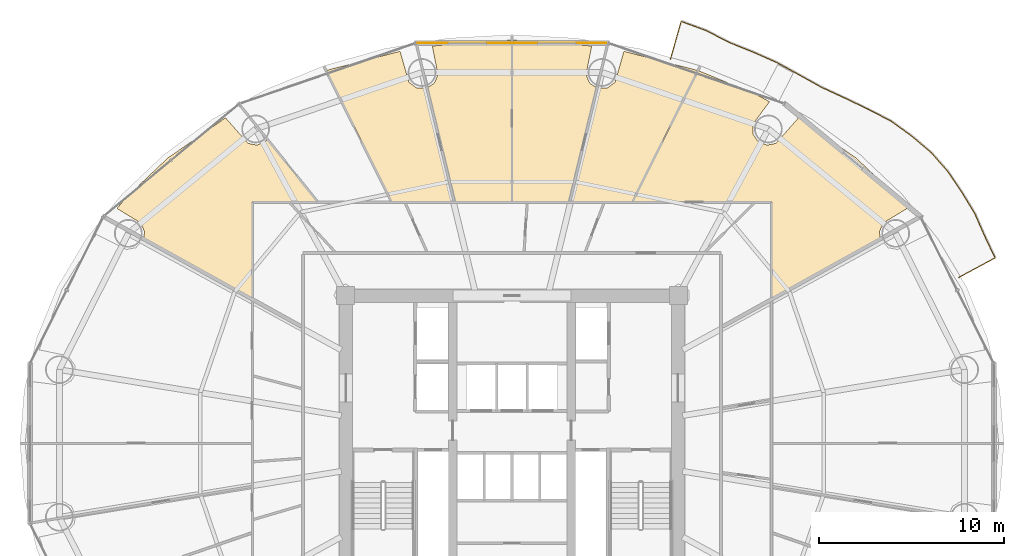
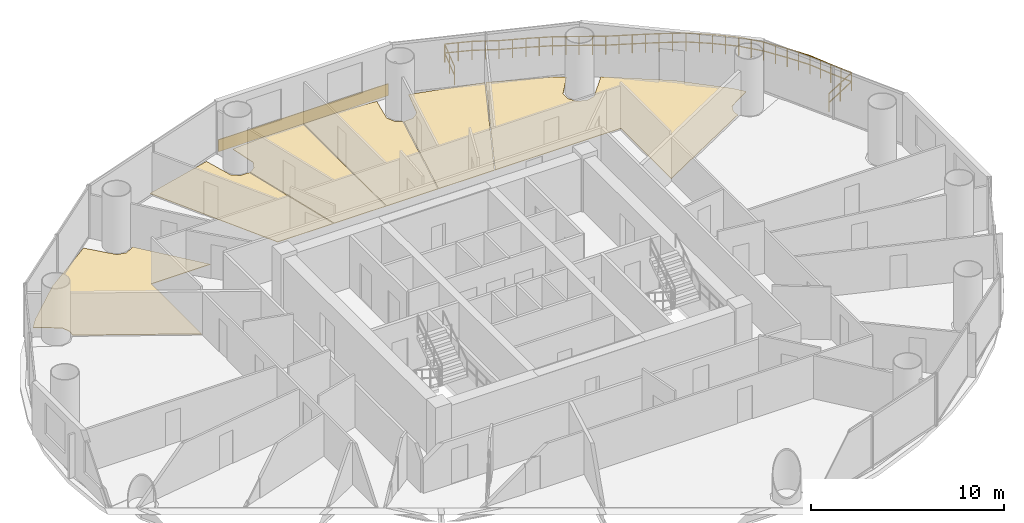
# One storey, part 29 of 29: 7 coverings, 1 railing.
"""IFC4 building model written with IfcOpenShell, lengths in metres."""

from ifc_helpers import new_model, si_unit, direction, frame, origin, origin_2d, place, context, subcontext, project, spatial, polyline, rectangle, outline, extrude, source, transform, mapped, material, layer, layer_set, type_object, element, save


model = new_model("IFC4")

# Units and contexts
model_context = context("Model", 3, precision=1e-05, world=origin(), true_north=direction((-0.2419218956, 0.970295726276)))
body_context = subcontext(model_context, "Body", "Model", "MODEL_VIEW")
ifc_project = project(units=[si_unit("LENGTHUNIT", "METRE"), si_unit("AREAUNIT", "SQUARE_METRE"), si_unit("VOLUMEUNIT", "CUBIC_METRE"), si_unit("PLANEANGLEUNIT", "RADIAN"), si_unit("MASSUNIT", "GRAM", prefix="KILO")], contexts=[model_context])

# Site, building, storey
site_placement = place(None, origin())
site = spatial("IfcSite", under=ifc_project, at=site_placement, CompositionType="ELEMENT")
building_placement = place(site_placement, origin())
building = spatial("IfcBuilding", under=site, at=building_placement, Name="Cobrevalo Terracotta Tower", CompositionType="ELEMENT")
storey_placement = place(building_placement, frame((0.0, 0.0, 97.800048828125)))
storey = spatial("IfcBuildingStorey", under=building, at=storey_placement, Name="L25", CompositionType="ELEMENT", Elevation=97.800048828125)

# Railing
ifc_material_1 = material(Name="Laminated structural glass and stainless steel", Category="steel")
railing_type = type_object("IfcRailingType", Name="Balcony lobe structural glass & terracotta-cap balustrade 1180 mm", PredefinedType="BALUSTRADE", material=ifc_material_1)
railing_placement = place(storey_placement, frame((62.1630859375, 35.77783203125, 0.0)))
element("IfcRailing", 1, at=railing_placement, inside=storey, type_object=railing_type, Name="L25 spiralling balcony lobe balustrade 1", PredefinedType="BALUSTRADE", context=body_context, shape_type="SweptSolid", body=[
    extrude(rectangle(XDim=0.048095703125, YDim=0.048095703125, at=origin_2d()), frame((0.0, 0.0, 1.15576171875), z_axis=(0.880700537108, 0.473673478187, 0.0), x_axis=(-0.473673478187, 0.880700537108, 0.0)), (0.0, 0.0, 1.0), 2.219970703125),
    extrude(rectangle(XDim=0.048095703125, YDim=0.048095703125, at=origin_2d()), frame((0.0, 0.0, 0.58984375), z_axis=(0.880700537108, 0.473673478187, 0.0), x_axis=(-0.473673478187, 0.880700537108, 0.0)), (0.0, 0.0, 1.0), 2.219970703125),
    extrude(rectangle(XDim=0.048095703125, YDim=0.048095703125, at=origin_2d()), frame((1.955078125, 1.051513671875, 1.15576171875), z_axis=(-0.428862999311, 0.903369541119, 0.0), x_axis=(-0.903369541119, -0.428862999311, 0.0)), (0.0, 0.0, 1.0), 1.310546875),
    extrude(rectangle(XDim=0.048095703125, YDim=0.048095703125, at=origin_2d()), frame((1.955078125, 1.051513671875, 0.58984375), z_axis=(-0.428862999311, 0.903369541119, 0.0), x_axis=(-0.903369541119, -0.428862999311, 0.0)), (0.0, 0.0, 1.0), 1.310546875),
    extrude(rectangle(XDim=0.048095703125, YDim=0.048095703125, at=origin_2d()), frame((1.39306640625, 2.2353515625, 1.15576171875), z_axis=(-0.402436977521, 0.915447693276, 0.0), x_axis=(-0.915447693276, -0.402436977521, 0.0)), (0.0, 0.0, 1.0), 1.3291015625),
    extrude(rectangle(XDim=0.048095703125, YDim=0.048095703125, at=origin_2d()), frame((1.39306640625, 2.2353515625, 0.58984375), z_axis=(-0.402436977521, 0.915447693276, 0.0), x_axis=(-0.915447693276, -0.402436977521, 0.0)), (0.0, 0.0, 1.0), 1.3291015625),
    extrude(rectangle(XDim=0.048095703125, YDim=0.048095703125, at=origin_2d()), frame((0.858154296875, 3.4521484375, 1.15576171875), z_axis=(-0.518345791571, 0.85517111759, 0.0), x_axis=(-0.85517111759, -0.518345791571, 0.0)), (0.0, 0.0, 1.0), 1.350341796875),
    extrude(rectangle(XDim=0.048095703125, YDim=0.048095703125, at=origin_2d()), frame((0.858154296875, 3.4521484375, 0.58984375), z_axis=(-0.518345791571, 0.85517111759, 0.0), x_axis=(-0.85517111759, -0.518345791571, 0.0)), (0.0, 0.0, 1.0), 1.350341796875),
    extrude(rectangle(XDim=0.048095703125, YDim=0.048095703125, at=origin_2d()), frame((0.158203125, 4.60693359375, 1.15576171875), z_axis=(-0.560167798675, 0.82837916278, 0.0), x_axis=(-0.82837916278, -0.560167798675, 0.0)), (0.0, 0.0, 1.0), 1.357177734375),
    extrude(rectangle(XDim=0.048095703125, YDim=0.048095703125, at=origin_2d()), frame((0.158203125, 4.60693359375, 0.58984375), z_axis=(-0.560167798675, 0.82837916278, 0.0), x_axis=(-0.82837916278, -0.560167798675, 0.0)), (0.0, 0.0, 1.0), 1.357177734375),
    extrude(rectangle(XDim=0.048095703125, YDim=0.048095703125, at=origin_2d()), frame((-0.60205078125, 5.731201171875, 1.15576171875), z_axis=(-0.66051884831, 0.750809463864, 0.0), x_axis=(-0.750809463864, -0.66051884831, 0.0)), (0.0, 0.0, 1.0), 1.36279296875),
    extrude(rectangle(XDim=0.048095703125, YDim=0.048095703125, at=origin_2d()), frame((-0.60205078125, 5.731201171875, 0.58984375), z_axis=(-0.66051884831, 0.750809463864, 0.0), x_axis=(-0.750809463864, -0.66051884831, 0.0)), (0.0, 0.0, 1.0), 1.36279296875),
    extrude(rectangle(XDim=0.048095703125, YDim=0.048095703125, at=origin_2d()), frame((-1.502197265625, 6.75439453125, 1.15576171875), z_axis=(-0.764237036256, 0.64493546376, 0.0), x_axis=(-0.64493546376, -0.764237036256, 0.0)), (0.0, 0.0, 1.0), 1.38134765625),
    extrude(rectangle(XDim=0.048095703125, YDim=0.048095703125, at=origin_2d()), frame((-1.502197265625, 6.75439453125, 0.58984375), z_axis=(-0.764237036256, 0.64493546376, 0.0), x_axis=(-0.64493546376, -0.764237036256, 0.0)), (0.0, 0.0, 1.0), 1.38134765625),
    extrude(rectangle(XDim=0.048095703125, YDim=0.048095703125, at=origin_2d()), frame((-2.557861328125, 7.645263671875, 1.15576171875), z_axis=(-0.809595668481, 0.586987950112, 0.0), x_axis=(-0.586987950112, -0.809595668481, 0.0)), (0.0, 0.0, 1.0), 1.374267578125),
    extrude(rectangle(XDim=0.048095703125, YDim=0.048095703125, at=origin_2d()), frame((-2.557861328125, 7.645263671875, 0.58984375), z_axis=(-0.809595668481, 0.586987950112, 0.0), x_axis=(-0.586987950112, -0.809595668481, 0.0)), (0.0, 0.0, 1.0), 1.374267578125),
    extrude(rectangle(XDim=0.048095703125, YDim=0.048095703125, at=origin_2d()), frame((-3.67041015625, 8.451904296875, 1.15576171875), z_axis=(-0.888024760842, 0.459795633006, 0.0), x_axis=(-0.459795633006, -0.888024760842, 0.0)), (0.0, 0.0, 1.0), 1.40771484375),
    extrude(rectangle(XDim=0.048095703125, YDim=0.048095703125, at=origin_2d()), frame((-3.67041015625, 8.451904296875, 0.58984375), z_axis=(-0.888024760842, 0.459795633006, 0.0), x_axis=(-0.459795633006, -0.888024760842, 0.0)), (0.0, 0.0, 1.0), 1.40771484375),
    extrude(rectangle(XDim=0.048095703125, YDim=0.048095703125, at=origin_2d()), frame((-4.92041015625, 9.09912109375, 1.15576171875), z_axis=(-0.90187008951, 0.432007339806, 0.0), x_axis=(-0.432007339806, -0.90187008951, 0.0)), (0.0, 0.0, 1.0), 1.39306640625),
    extrude(rectangle(XDim=0.048095703125, YDim=0.048095703125, at=origin_2d()), frame((-4.92041015625, 9.09912109375, 0.58984375), z_axis=(-0.90187008951, 0.432007339806, 0.0), x_axis=(-0.432007339806, -0.90187008951, 0.0)), (0.0, 0.0, 1.0), 1.39306640625),
    extrude(rectangle(XDim=0.048095703125, YDim=0.048095703125, at=origin_2d()), frame((-6.1767578125, 9.700927734375, 1.15576171875), z_axis=(-0.907840195634, 0.419316323544, 0.0), x_axis=(-0.419316323544, -0.907840195634, 0.0)), (0.0, 0.0, 1.0), 1.37939453125),
    extrude(rectangle(XDim=0.048095703125, YDim=0.048095703125, at=origin_2d()), frame((-6.1767578125, 9.700927734375, 0.58984375), z_axis=(-0.907840195634, 0.419316323544, 0.0), x_axis=(-0.419316323544, -0.907840195634, 0.0)), (0.0, 0.0, 1.0), 1.37939453125),
    extrude(rectangle(XDim=0.048095703125, YDim=0.048095703125, at=origin_2d()), frame((-7.428955078125, 10.279296875, 1.15576171875), z_axis=(-0.873998634517, 0.485928376267, 0.0), x_axis=(-0.485928376267, -0.873998634517, 0.0)), (0.0, 0.0, 1.0), 1.379638671875),
    extrude(rectangle(XDim=0.048095703125, YDim=0.048095703125, at=origin_2d()), frame((-7.428955078125, 10.279296875, 0.58984375), z_axis=(-0.873998634517, 0.485928376267, 0.0), x_axis=(-0.485928376267, -0.873998634517, 0.0)), (0.0, 0.0, 1.0), 1.379638671875),
    extrude(rectangle(XDim=0.048095703125, YDim=0.048095703125, at=origin_2d()), frame((-8.634765625, 10.94970703125, 1.15576171875), z_axis=(-0.875241535439, 0.48368611169, 0.0), x_axis=(-0.48368611169, -0.875241535439, 0.0)), (0.0, 0.0, 1.0), 1.3779296875),
    extrude(rectangle(XDim=0.048095703125, YDim=0.048095703125, at=origin_2d()), frame((-8.634765625, 10.94970703125, 0.58984375), z_axis=(-0.875241535439, 0.48368611169, 0.0), x_axis=(-0.48368611169, -0.875241535439, 0.0)), (0.0, 0.0, 1.0), 1.3779296875),
    extrude(rectangle(XDim=0.048095703125, YDim=0.048095703125, at=origin_2d()), frame((-9.8408203125, 11.6162109375, 1.15576171875), z_axis=(-0.91504895465, 0.403342795392, 0.0), x_axis=(-0.403342795392, -0.91504895465, 0.0)), (0.0, 0.0, 1.0), 1.39453125),
    extrude(rectangle(XDim=0.048095703125, YDim=0.048095703125, at=origin_2d()), frame((-9.8408203125, 11.6162109375, 0.58984375), z_axis=(-0.91504895465, 0.403342795392, 0.0), x_axis=(-0.403342795392, -0.91504895465, 0.0)), (0.0, 0.0, 1.0), 1.39453125),
    extrude(rectangle(XDim=0.048095703125, YDim=0.048095703125, at=origin_2d()), frame((-11.116943359375, 12.1787109375, 1.15576171875), z_axis=(-0.927632534186, 0.373494151922, 0.0), x_axis=(-0.373494151922, -0.927632534186, 0.0)), (0.0, 0.0, 1.0), 1.400146484375),
    extrude(rectangle(XDim=0.048095703125, YDim=0.048095703125, at=origin_2d()), frame((-11.116943359375, 12.1787109375, 0.58984375), z_axis=(-0.927632534186, 0.373494151922, 0.0), x_axis=(-0.373494151922, -0.927632534186, 0.0)), (0.0, 0.0, 1.0), 1.400146484375),
    extrude(rectangle(XDim=0.048095703125, YDim=0.048095703125, at=origin_2d()), frame((-12.415771484375, 12.70166015625, 1.15576171875), z_axis=(-0.889093541304, 0.457725545291, 0.0), x_axis=(-0.457725545291, -0.889093541304, 0.0)), (0.0, 0.0, 1.0), 1.417236328125),
    extrude(rectangle(XDim=0.048095703125, YDim=0.048095703125, at=origin_2d()), frame((-12.415771484375, 12.70166015625, 0.58984375), z_axis=(-0.889093541304, 0.457725545291, 0.0), x_axis=(-0.457725545291, -0.889093541304, 0.0)), (0.0, 0.0, 1.0), 1.417236328125),
    extrude(rectangle(XDim=0.048095703125, YDim=0.048095703125, at=origin_2d()), frame((-13.67578125, 13.350341796875, 1.15576171875), z_axis=(-0.938922329861, 0.344129130544, 0.0), x_axis=(-0.344129130544, -0.938922329861, 0.0)), (0.0, 0.0, 1.0), 1.4287109375),
    extrude(rectangle(XDim=0.048095703125, YDim=0.048095703125, at=origin_2d()), frame((-13.67578125, 13.350341796875, 0.58984375), z_axis=(-0.938922329861, 0.344129130544, 0.0), x_axis=(-0.344129130544, -0.938922329861, 0.0)), (0.0, 0.0, 1.0), 1.4287109375),
    extrude(rectangle(XDim=0.048095703125, YDim=0.048095703125, at=origin_2d()), frame((-15.017333984375, 13.842041015625, 1.15576171875), z_axis=(-0.273960884209, -0.961740835113, 0.0), x_axis=(0.961740835113, -0.273960884209, 0.0)), (0.0, 0.0, 1.0), 2.120849609375),
    extrude(rectangle(XDim=0.048095703125, YDim=0.048095703125, at=origin_2d()), frame((-15.017333984375, 13.842041015625, 0.58984375), z_axis=(-0.273960884209, -0.961740835113, 0.0), x_axis=(0.961740835113, -0.273960884209, 0.0)), (0.0, 0.0, 1.0), 2.120849609375),
    extrude(rectangle(XDim=0.0419921875, YDim=0.0419921875, at=origin_2d()), origin(), (0.0, 0.0, 1.0), 1.1318359375),
    extrude(rectangle(XDim=0.0419921875, YDim=0.0419921875, at=origin_2d()), frame((0.9775390625, 0.52587890625, 0.0)), (0.0, 0.0, 1.0), 1.1318359375),
    extrude(rectangle(XDim=0.0419921875, YDim=0.0419921875, at=origin_2d()), frame((1.955078125, 1.051513671875, 0.0)), (0.0, 0.0, 1.0), 1.1318359375),
    extrude(rectangle(XDim=0.0419921875, YDim=0.0419921875, at=origin_2d()), frame((1.674072265625, 1.6435546875, 0.0)), (0.0, 0.0, 1.0), 1.1318359375),
    extrude(rectangle(XDim=0.0419921875, YDim=0.0419921875, at=origin_2d()), frame((1.39306640625, 2.2353515625, 0.0)), (0.0, 0.0, 1.0), 1.1318359375),
    extrude(rectangle(XDim=0.0419921875, YDim=0.0419921875, at=origin_2d()), frame((1.12548828125, 2.84375, 0.0)), (0.0, 0.0, 1.0), 1.1318359375),
    extrude(rectangle(XDim=0.0419921875, YDim=0.0419921875, at=origin_2d()), frame((0.858154296875, 3.4521484375, 0.0)), (0.0, 0.0, 1.0), 1.1318359375),
    extrude(rectangle(XDim=0.0419921875, YDim=0.0419921875, at=origin_2d()), frame((0.50830078125, 4.029541015625, 0.0)), (0.0, 0.0, 1.0), 1.1318359375),
    extrude(rectangle(XDim=0.0419921875, YDim=0.0419921875, at=origin_2d()), frame((0.158203125, 4.60693359375, 0.0)), (0.0, 0.0, 1.0), 1.1318359375),
    extrude(rectangle(XDim=0.0419921875, YDim=0.0419921875, at=origin_2d()), frame((-0.221923828125, 5.1689453125, 0.0)), (0.0, 0.0, 1.0), 1.1318359375),
    extrude(rectangle(XDim=0.0419921875, YDim=0.0419921875, at=origin_2d()), frame((-0.60205078125, 5.731201171875, 0.0)), (0.0, 0.0, 1.0), 1.1318359375),
    extrude(rectangle(XDim=0.0419921875, YDim=0.0419921875, at=origin_2d()), frame((-1.05224609375, 6.24267578125, 0.0)), (0.0, 0.0, 1.0), 1.1318359375),
    extrude(rectangle(XDim=0.0419921875, YDim=0.0419921875, at=origin_2d()), frame((-1.502197265625, 6.75439453125, 0.0)), (0.0, 0.0, 1.0), 1.1318359375),
    extrude(rectangle(XDim=0.0419921875, YDim=0.0419921875, at=origin_2d()), frame((-2.030029296875, 7.19970703125, 0.0)), (0.0, 0.0, 1.0), 1.1318359375),
    extrude(rectangle(XDim=0.0419921875, YDim=0.0419921875, at=origin_2d()), frame((-2.557861328125, 7.645263671875, 0.0)), (0.0, 0.0, 1.0), 1.1318359375),
    extrude(rectangle(XDim=0.0419921875, YDim=0.0419921875, at=origin_2d()), frame((-3.1142578125, 8.048583984375, 0.0)), (0.0, 0.0, 1.0), 1.1318359375),
    extrude(rectangle(XDim=0.0419921875, YDim=0.0419921875, at=origin_2d()), frame((-3.67041015625, 8.451904296875, 0.0)), (0.0, 0.0, 1.0), 1.1318359375),
    extrude(rectangle(XDim=0.0419921875, YDim=0.0419921875, at=origin_2d()), frame((-4.29541015625, 8.775390625, 0.0)), (0.0, 0.0, 1.0), 1.1318359375),
    extrude(rectangle(XDim=0.0419921875, YDim=0.0419921875, at=origin_2d()), frame((-4.92041015625, 9.09912109375, 0.0)), (0.0, 0.0, 1.0), 1.1318359375),
    extrude(rectangle(XDim=0.0419921875, YDim=0.0419921875, at=origin_2d()), frame((-5.548583984375, 9.39990234375, 0.0)), (0.0, 0.0, 1.0), 1.1318359375),
    extrude(rectangle(XDim=0.0419921875, YDim=0.0419921875, at=origin_2d()), frame((-6.1767578125, 9.700927734375, 0.0)), (0.0, 0.0, 1.0), 1.1318359375),
    extrude(rectangle(XDim=0.0419921875, YDim=0.0419921875, at=origin_2d()), frame((-6.802734375, 9.990234375, 0.0)), (0.0, 0.0, 1.0), 1.1318359375),
    extrude(rectangle(XDim=0.0419921875, YDim=0.0419921875, at=origin_2d()), frame((-7.428955078125, 10.279296875, 0.0)), (0.0, 0.0, 1.0), 1.1318359375),
    extrude(rectangle(XDim=0.0419921875, YDim=0.0419921875, at=origin_2d()), frame((-8.03173828125, 10.614501953125, 0.0)), (0.0, 0.0, 1.0), 1.1318359375),
    extrude(rectangle(XDim=0.0419921875, YDim=0.0419921875, at=origin_2d()), frame((-8.634765625, 10.94970703125, 0.0)), (0.0, 0.0, 1.0), 1.1318359375),
    extrude(rectangle(XDim=0.0419921875, YDim=0.0419921875, at=origin_2d()), frame((-9.23779296875, 11.282958984375, 0.0)), (0.0, 0.0, 1.0), 1.1318359375),
    extrude(rectangle(XDim=0.0419921875, YDim=0.0419921875, at=origin_2d()), frame((-9.8408203125, 11.6162109375, 0.0)), (0.0, 0.0, 1.0), 1.1318359375),
    extrude(rectangle(XDim=0.0419921875, YDim=0.0419921875, at=origin_2d()), frame((-10.47900390625, 11.8974609375, 0.0)), (0.0, 0.0, 1.0), 1.1318359375),
    extrude(rectangle(XDim=0.0419921875, YDim=0.0419921875, at=origin_2d()), frame((-11.116943359375, 12.1787109375, 0.0)), (0.0, 0.0, 1.0), 1.1318359375),
    extrude(rectangle(XDim=0.0419921875, YDim=0.0419921875, at=origin_2d()), frame((-11.766357421875, 12.440185546875, 0.0)), (0.0, 0.0, 1.0), 1.1318359375),
    extrude(rectangle(XDim=0.0419921875, YDim=0.0419921875, at=origin_2d()), frame((-12.415771484375, 12.70166015625, 0.0)), (0.0, 0.0, 1.0), 1.1318359375),
    extrude(rectangle(XDim=0.0419921875, YDim=0.0419921875, at=origin_2d()), frame((-13.0458984375, 13.02587890625, 0.0)), (0.0, 0.0, 1.0), 1.1318359375),
    extrude(rectangle(XDim=0.0419921875, YDim=0.0419921875, at=origin_2d()), frame((-13.67578125, 13.350341796875, 0.0)), (0.0, 0.0, 1.0), 1.1318359375),
    extrude(rectangle(XDim=0.0419921875, YDim=0.0419921875, at=origin_2d()), frame((-14.3466796875, 13.59619140625, 0.0)), (0.0, 0.0, 1.0), 1.1318359375),
    extrude(rectangle(XDim=0.0419921875, YDim=0.0419921875, at=origin_2d()), frame((-15.017333984375, 13.842041015625, 0.0)), (0.0, 0.0, 1.0), 1.1318359375),
    extrude(rectangle(XDim=0.0419921875, YDim=0.0419921875, at=origin_2d()), frame((-15.307861328125, 12.822265625, 0.0)), (0.0, 0.0, 1.0), 1.1318359375),
    extrude(rectangle(XDim=0.0419921875, YDim=0.0419921875, at=origin_2d()), frame((-15.598388671875, 11.80224609375, 0.0)), (0.0, 0.0, 1.0), 1.1318359375),
])

# Coverings
ifc_material_2 = material(Name="Engineered Brazilian hardwood flooring", Category="wood")
ifc_layer_1 = layer(ifc_material_2, 0.028076171875)
ifc_layer_set_1 = layer_set([ifc_layer_1], Name="Engineered Brazilian hardwood flooring")
covering_type_1 = type_object("IfcCoveringType", Name="Engineered Hardwood Suite Flooring 28", PredefinedType="FLOORING", material=ifc_layer_set_1)
covering_1_placement = place(storey_placement, origin())
element("IfcCovering", 2, at=covering_1_placement, inside=storey, type_object=covering_type_1, Name="Flat L25A Living and Dining Room floor finish", PredefinedType="FLOORING", context=body_context, shape_type="SweptSolid", body=[
    extrude(outline(polyline([(51.161376953125, 45.696044921875), (51.92431640625, 45.273193359375), (51.0185546875, 44.05615234375), (51.02001953125, 43.54541015625), (51.305419921875, 43.121337890625), (51.778076171875, 42.927490234375), (52.27880859375, 43.02880859375), (53.488525390625, 44.40673828125), (56.6123046875, 42.227783203125), (58.882080078125, 40.081787109375), (59.35302734375, 39.49755859375), (58.05908203125, 38.712890625), (57.868408203125, 38.23876953125), (57.916259765625, 37.879150390625), (52.054931640625, 34.62548828125), (52.054931640625, 39.85498046875), (44.531005859375, 39.85498046875), (48.07177734375, 46.95703125), (51.161376953125, 45.696044921875)])), origin(), (0.0, 0.0, 1.0), 0.030029296875),
])
covering_2_placement = place(storey_placement, origin())
element("IfcCovering", 3, at=covering_2_placement, inside=storey, type_object=covering_type_1, Name="Flat L25A Master Bedroom floor finish", PredefinedType="FLOORING", context=body_context, shape_type="SweptSolid", body=[
    extrude(outline(polyline([(48.033447265625, 46.9697265625), (44.486328125, 39.85498046875), (41.146240234375, 39.85498046875), (42.62109375, 46.015380859375), (43.170166015625, 46.030517578125), (43.578125, 46.337890625), (44.05078125, 48.001953125), (48.033447265625, 46.9697265625)])), origin(), (0.0, 0.0, 1.0), 0.030029296875),
])
covering_3_placement = place(storey_placement, origin())
element("IfcCovering", 4, at=covering_3_placement, inside=storey, type_object=covering_type_1, Name="Flat L25A Principal Guest Bedroom floor finish", PredefinedType="FLOORING", context=body_context, shape_type="SweptSolid", body=[
    extrude(outline(polyline([(42.3095703125, 48.2890625), (41.997802734375, 46.721435546875), (42.2197265625, 46.26123046875), (42.5830078125, 46.028564453125), (41.10498046875, 39.85498046875), (38.02001953125, 39.85498046875), (38.02001953125, 48.618896484375), (42.3095703125, 48.2890625)])), origin(), (0.0, 0.0, 1.0), 0.030029296875),
])
covering_4_placement = place(storey_placement, origin())
element("IfcCovering", 5, at=covering_4_placement, inside=storey, type_object=covering_type_1, Name="Flat L25A North Bedroom floor finish", PredefinedType="FLOORING", context=body_context, shape_type="SweptSolid", body=[
    extrude(outline(polyline([(37.97998046875, 48.618896484375), (37.97998046875, 39.85498046875), (34.89501953125, 39.85498046875), (33.4169921875, 46.028564453125), (33.7802734375, 46.26123046875), (34.002197265625, 46.721435546875), (33.6904296875, 48.2890625), (37.97998046875, 48.618896484375)])), origin(), (0.0, 0.0, 1.0), 0.030029296875),
])
covering_5_placement = place(storey_placement, origin())
element("IfcCovering", 6, at=covering_5_placement, inside=storey, type_object=covering_type_1, Name="Flat L25A South Bedroom floor finish", PredefinedType="FLOORING", context=body_context, shape_type="SweptSolid", body=[
    extrude(outline(polyline([(31.94921875, 48.001953125), (32.421875, 46.337890625), (32.829833984375, 46.030517578125), (33.37890625, 46.015380859375), (34.853759765625, 39.85498046875), (31.513671875, 39.85498046875), (27.966552734375, 46.9697265625), (31.94921875, 48.001953125)])), origin(), (0.0, 0.0, 1.0), 0.030029296875),
])
covering_6_placement = place(storey_placement, origin())
element("IfcCovering", 7, at=covering_6_placement, inside=storey, type_object=covering_type_1, Name="Flat L25A Penthouse Family Lounge floor finish", PredefinedType="FLOORING", context=body_context, shape_type="SweptSolid", body=[
    extrude(outline(polyline([(22.511474609375, 44.40673828125), (23.72119140625, 43.02880859375), (24.221923828125, 42.927490234375), (24.780029296875, 43.2060546875), (27.47509765625, 39.85498046875), (23.945068359375, 39.85498046875), (23.945068359375, 34.62548828125), (18.083740234375, 37.879150390625), (18.131591796875, 38.23876953125), (17.94091796875, 38.712890625), (16.64697265625, 39.49755859375), (17.117919921875, 40.081787109375), (19.3876953125, 42.227783203125), (22.511474609375, 44.40673828125)])), origin(), (0.0, 0.0, 1.0), 0.030029296875),
])
ifc_material_3 = material(Name="Glazed terracotta facade cladding tile", Category="masonry")
ifc_layer_2 = layer(ifc_material_3, 0.044921875)
ifc_layer_set_2 = layer_set([ifc_layer_2], Name="Glazed terracotta facade cladding tile")
covering_type_2 = type_object("IfcCoveringType", Name="Architectural terracotta rainscreen spandrel cladding 45 mm", PredefinedType="CLADDING", material=ifc_layer_set_2)
shared_shape = source(origin(), body_context, "Body", "SweptSolid", [
    extrude(rectangle(XDim=10.1669921875, YDim=0.044921875, at=origin_2d()), origin(), (0.0, 0.0, 1.0), 0.760009765625),
])
covering_7_placement = place(storey_placement, frame((38.0, 48.446044921875, 0.0400390625), z_axis=(0.0, 0.0, 1.0), x_axis=(-1.0, 0.0, 0.0)))
element("IfcCovering", 8, at=covering_7_placement, inside=storey, type_object=covering_type_2, Name="L25 terracotta spandrel cladding S04", PredefinedType="CLADDING", context=body_context, shape_type="MappedRepresentation", body=[
    mapped(shared_shape, transform((0.0, 0.0, 0.0), scale=1.0)),
])

save(model, "model.ifc")
